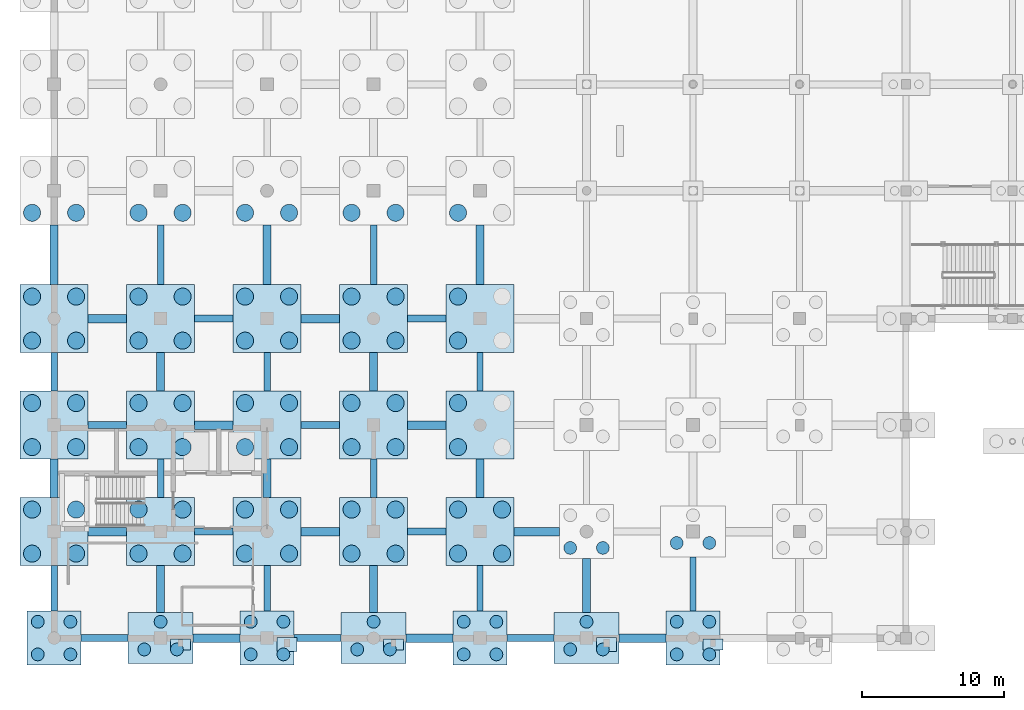
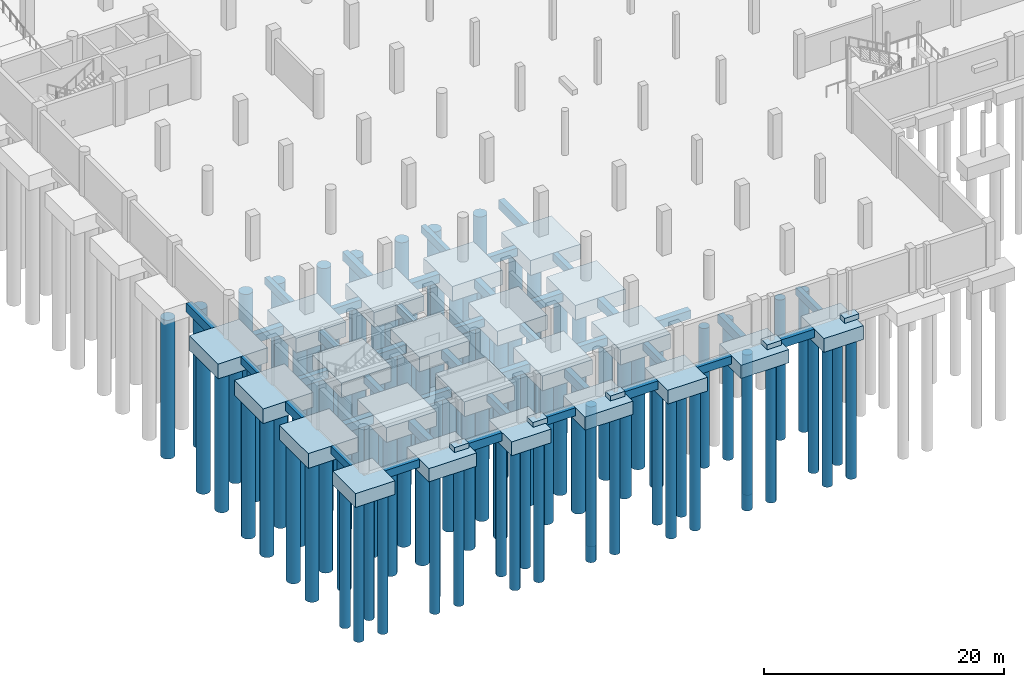
# One storey, part 1 of 42: 94 piles, 68 footings.
"""IFC4 building model written with IfcOpenShell, lengths in metres."""

from ifc_helpers import new_model, si_unit, direction, frame, origin, origin_2d, place, context, subcontext, project, spatial, rectangle, circle, extrude, material, material_profile, profile_set, type_object, element, save


model = new_model("IFC4")

# Units and contexts
model_context = context("Model", 3, precision=1e-05, world=origin(), true_north=direction((0.0, 1.0)))
body_context = subcontext(model_context, "Body", "Model", "MODEL_VIEW")
ifc_project = project(units=[si_unit("LENGTHUNIT", "METRE"), si_unit("AREAUNIT", "SQUARE_METRE"), si_unit("VOLUMEUNIT", "CUBIC_METRE"), si_unit("PLANEANGLEUNIT", "RADIAN"), si_unit("MASSUNIT", "GRAM", prefix="KILO")], contexts=[model_context])

# Site, building, storey
site_placement = place(None, origin())
site = spatial("IfcSite", under=ifc_project, at=site_placement, CompositionType="ELEMENT")
building_placement = place(site_placement, origin())
building = spatial("IfcBuilding", under=site, at=building_placement, Name="Dalvernix Boulevard General Hospital", CompositionType="ELEMENT")
storey_placement = place(building_placement, frame((0.0, 0.0, -4.5)))
storey = spatial("IfcBuildingStorey", under=building, at=storey_placement, Name="B1", CompositionType="ELEMENT", Elevation=-4.5)

# Footings
ifc_material_1 = material(Name="Concrete C35/45", Category="concrete")
footing_type_1 = type_object("IfcFootingType", Name="FTG-GB-01", PredefinedType="FOOTING_BEAM", material=ifc_material_1)
for number, where, z_axis, x_axis, name in (
    (1, (3.550048828125, 0.0, -1.2998046875), (0.0, 0.0, 1.0), (1.0, 0.0, 0.0), "Ground beam A:1-2"),
    (2, (18.550048828125, 0.0, -1.2998046875), (0.0, 0.0, 1.0), (1.0, 0.0, 0.0), "Ground beam A:3-4"),
    (3, (33.550048828125, 0.0, -1.2998046875), (0.0, 0.0, 1.0), (1.0, 0.0, 0.0), "Ground beam A:5-6"),
):
    element("IfcFooting", number, at=place(storey_placement, frame(where, z_axis=z_axis, x_axis=x_axis)), inside=storey, type_object=footing_type_1, Name=name, PredefinedType="FOOTING_BEAM", context=body_context, shape_type="SweptSolid", body=[
        extrude(rectangle(XDim=3.300048828125, YDim=0.5, at=origin_2d()), origin(), (0.0, 0.0, 1.0), 0.800048828125),
    ])
for number, where, z_axis, x_axis, name in (
    (4, (11.25, 7.5, -1.2998046875), (0.0, 0.0, 1.0), (1.0, 0.0, 0.0), "Ground beam B:2-3"),
    (5, (26.25, 7.5, -1.2998046875), (0.0, 0.0, 1.0), (1.0, 0.0, 0.0), "Ground beam B:4-5"),
    (6, (3.75, 15.0, -1.2998046875), (0.0, 0.0, 1.0), (1.0, 0.0, 0.0), "Ground beam C:1-2"),
    (7, (18.75, 15.0, -1.2998046875), (0.0, 0.0, 1.0), (1.0, 0.0, 0.0), "Ground beam C:3-4"),
    (8, (11.25, 22.5, -1.2998046875), (0.0, 0.0, 1.0), (1.0, 0.0, 0.0), "Ground beam D:2-3"),
    (9, (26.25, 22.5, -1.2998046875), (0.0, 0.0, 1.0), (1.0, 0.0, 0.0), "Ground beam D:4-5"),
):
    element("IfcFooting", number, at=place(storey_placement, frame(where, z_axis=z_axis, x_axis=x_axis)), inside=storey, type_object=footing_type_1, Name=name, PredefinedType="FOOTING_BEAM", context=body_context, shape_type="SweptSolid", body=[
        extrude(rectangle(XDim=2.699951171875, YDim=0.5, at=origin_2d()), origin(), (0.0, 0.0, 1.0), 0.800048828125),
    ])
footing_type_2 = type_object("IfcFootingType", Name="FTG-GB-02", PredefinedType="FOOTING_BEAM", material=ifc_material_1)
for number, where, z_axis, x_axis, name in (
    (10, (11.449951171875, 0.0, -1.35009765625), (0.0, 0.0, 1.0), (1.0, 0.0, 0.0), "Ground beam A:2-3"),
    (11, (26.449951171875, 0.0, -1.35009765625), (0.0, 0.0, 1.0), (1.0, 0.0, 0.0), "Ground beam A:4-5"),
    (12, (41.449951171875, 0.0, -1.35009765625), (0.0, 0.0, 1.0), (1.0, 0.0, 0.0), "Ground beam A:6-7"),
):
    element("IfcFooting", number, at=place(storey_placement, frame(where, z_axis=z_axis, x_axis=x_axis)), inside=storey, type_object=footing_type_2, Name=name, PredefinedType="FOOTING_BEAM", context=body_context, shape_type="SweptSolid", body=[
        extrude(rectangle(XDim=3.300048828125, YDim=0.60009765625, at=origin_2d()), origin(), (0.0, 0.0, 1.0), 0.85009765625),
    ])
for number, where, z_axis, x_axis, name in (
    (13, (3.75, 7.5, -1.35009765625), (0.0, 0.0, 1.0), (1.0, 0.0, 0.0), "Ground beam B:1-2"),
    (14, (18.75, 7.5, -1.35009765625), (0.0, 0.0, 1.0), (1.0, 0.0, 0.0), "Ground beam B:3-4"),
):
    element("IfcFooting", number, at=place(storey_placement, frame(where, z_axis=z_axis, x_axis=x_axis)), inside=storey, type_object=footing_type_2, Name=name, PredefinedType="FOOTING_BEAM", context=body_context, shape_type="SweptSolid", body=[
        extrude(rectangle(XDim=2.699951171875, YDim=0.60009765625, at=origin_2d()), origin(), (0.0, 0.0, 1.0), 0.85009765625),
    ])
footing_1_placement = place(storey_placement, frame((34.0, 7.5, -1.35009765625), z_axis=(0.0, 0.0, 1.0), x_axis=(1.0, 0.0, 0.0)))
element("IfcFooting", 15, at=footing_1_placement, inside=storey, type_object=footing_type_2, Name="Ground beam B:5-6", PredefinedType="FOOTING_BEAM", context=body_context, shape_type="SweptSolid", body=[
    extrude(rectangle(XDim=3.199951171875, YDim=0.60009765625, at=origin_2d()), origin(), (0.0, 0.0, 1.0), 0.85009765625),
])
for number, where, z_axis, x_axis, name in (
    (16, (11.25, 15.0, -1.35009765625), (0.0, 0.0, 1.0), (1.0, 0.0, 0.0), "Ground beam C:2-3"),
    (17, (26.25, 15.0, -1.35009765625), (0.0, 0.0, 1.0), (1.0, 0.0, 0.0), "Ground beam C:4-5"),
    (18, (3.75, 22.5, -1.35009765625), (0.0, 0.0, 1.0), (1.0, 0.0, 0.0), "Ground beam D:1-2"),
    (19, (18.75, 22.5, -1.35009765625), (0.0, 0.0, 1.0), (1.0, 0.0, 0.0), "Ground beam D:3-4"),
):
    element("IfcFooting", number, at=place(storey_placement, frame(where, z_axis=z_axis, x_axis=x_axis)), inside=storey, type_object=footing_type_2, Name=name, PredefinedType="FOOTING_BEAM", context=body_context, shape_type="SweptSolid", body=[
        extrude(rectangle(XDim=2.699951171875, YDim=0.60009765625, at=origin_2d()), origin(), (0.0, 0.0, 1.0), 0.85009765625),
    ])
footing_type_3 = type_object("IfcFootingType", Name="FTG-GB-03", PredefinedType="FOOTING_BEAM", material=ifc_material_1)
footing_2_placement = place(storey_placement, frame((0.0, 3.5, -1.25), z_axis=(0.0, 0.0, 1.0), x_axis=(0.0, 1.0, 0.0)))
element("IfcFooting", 20, at=footing_2_placement, inside=storey, type_object=footing_type_3, Name="Ground beam 1:A-B", PredefinedType="FOOTING_BEAM", context=body_context, shape_type="SweptSolid", body=[
    extrude(rectangle(XDim=3.199951171875, YDim=0.449951171875, at=origin_2d()), origin(), (0.0, 0.0, 1.0), 0.75),
])
for number, where, z_axis, x_axis, name in (
    (21, (0.0, 18.75, -1.25), (0.0, 0.0, 1.0), (0.0, 1.0, 0.0), "Ground beam 1:C-D"),
    (22, (7.5, 11.25, -1.25), (0.0, 0.0, 1.0), (0.0, 1.0, 0.0), "Ground beam 2:B-C"),
):
    element("IfcFooting", number, at=place(storey_placement, frame(where, z_axis=z_axis, x_axis=x_axis)), inside=storey, type_object=footing_type_3, Name=name, PredefinedType="FOOTING_BEAM", context=body_context, shape_type="SweptSolid", body=[
        extrude(rectangle(XDim=2.699951171875, YDim=0.449951171875, at=origin_2d()), origin(), (0.0, 0.0, 1.0), 0.75),
    ])
footing_3_placement = place(storey_placement, frame((7.5, 27.0, -1.25), z_axis=(0.0, 0.0, 1.0), x_axis=(0.0, 1.0, 0.0)))
element("IfcFooting", 23, at=footing_3_placement, inside=storey, type_object=footing_type_3, Name="Ground beam 2:D-E", PredefinedType="FOOTING_BEAM", context=body_context, shape_type="SweptSolid", body=[
    extrude(rectangle(XDim=4.199951171875, YDim=0.449951171875, at=origin_2d()), origin(), (0.0, 0.0, 1.0), 0.75),
])
footing_4_placement = place(storey_placement, frame((15.0, 3.5, -1.25), z_axis=(0.0, 0.0, 1.0), x_axis=(0.0, 1.0, 0.0)))
element("IfcFooting", 24, at=footing_4_placement, inside=storey, type_object=footing_type_3, Name="Ground beam 3:A-B", PredefinedType="FOOTING_BEAM", context=body_context, shape_type="SweptSolid", body=[
    extrude(rectangle(XDim=3.199951171875, YDim=0.449951171875, at=origin_2d()), origin(), (0.0, 0.0, 1.0), 0.75),
])
for number, where, z_axis, x_axis, name in (
    (25, (15.0, 18.75, -1.25), (0.0, 0.0, 1.0), (0.0, 1.0, 0.0), "Ground beam 3:C-D"),
    (26, (22.5, 11.25, -1.25), (0.0, 0.0, 1.0), (0.0, 1.0, 0.0), "Ground beam 4:B-C"),
):
    element("IfcFooting", number, at=place(storey_placement, frame(where, z_axis=z_axis, x_axis=x_axis)), inside=storey, type_object=footing_type_3, Name=name, PredefinedType="FOOTING_BEAM", context=body_context, shape_type="SweptSolid", body=[
        extrude(rectangle(XDim=2.699951171875, YDim=0.449951171875, at=origin_2d()), origin(), (0.0, 0.0, 1.0), 0.75),
    ])
footing_5_placement = place(storey_placement, frame((22.5, 27.0, -1.25), z_axis=(0.0, 0.0, 1.0), x_axis=(0.0, 1.0, 0.0)))
element("IfcFooting", 27, at=footing_5_placement, inside=storey, type_object=footing_type_3, Name="Ground beam 4:D-E", PredefinedType="FOOTING_BEAM", context=body_context, shape_type="SweptSolid", body=[
    extrude(rectangle(XDim=4.199951171875, YDim=0.449951171875, at=origin_2d()), origin(), (0.0, 0.0, 1.0), 0.75),
])
footing_6_placement = place(storey_placement, frame((30.0, 3.5, -1.25), z_axis=(0.0, 0.0, 1.0), x_axis=(0.0, 1.0, 0.0)))
element("IfcFooting", 28, at=footing_6_placement, inside=storey, type_object=footing_type_3, Name="Ground beam 5:A-B", PredefinedType="FOOTING_BEAM", context=body_context, shape_type="SweptSolid", body=[
    extrude(rectangle(XDim=3.199951171875, YDim=0.449951171875, at=origin_2d()), origin(), (0.0, 0.0, 1.0), 0.75),
])
footing_7_placement = place(storey_placement, frame((30.0, 18.75, -1.25), z_axis=(0.0, 0.0, 1.0), x_axis=(0.0, 1.0, 0.0)))
element("IfcFooting", 29, at=footing_7_placement, inside=storey, type_object=footing_type_3, Name="Ground beam 5:C-D", PredefinedType="FOOTING_BEAM", context=body_context, shape_type="SweptSolid", body=[
    extrude(rectangle(XDim=2.699951171875, YDim=0.449951171875, at=origin_2d()), origin(), (0.0, 0.0, 1.0), 0.75),
])
footing_8_placement = place(storey_placement, frame((45.0, 3.800048828125, -1.25), z_axis=(0.0, 0.0, 1.0), x_axis=(0.0, 1.0, 0.0)))
element("IfcFooting", 30, at=footing_8_placement, inside=storey, type_object=footing_type_3, Name="Ground beam 7:A-B", PredefinedType="FOOTING_BEAM", context=body_context, shape_type="SweptSolid", body=[
    extrude(rectangle(XDim=3.800048828125, YDim=0.449951171875, at=origin_2d()), origin(), (0.0, 0.0, 1.0), 0.75),
])
footing_type_4 = type_object("IfcFootingType", Name="FTG-GB-04", PredefinedType="FOOTING_BEAM", material=ifc_material_1)
footing_9_placement = place(storey_placement, frame((0.0, 11.25, -1.39990234375), z_axis=(0.0, 0.0, 1.0), x_axis=(0.0, 1.0, 0.0)))
element("IfcFooting", 31, at=footing_9_placement, inside=storey, type_object=footing_type_4, Name="Ground beam 1:B-C", PredefinedType="FOOTING_BEAM", context=body_context, shape_type="SweptSolid", body=[
    extrude(rectangle(XDim=2.699951171875, YDim=0.550048828125, at=origin_2d()), origin(), (0.0, 0.0, 1.0), 0.89990234375),
])
footing_10_placement = place(storey_placement, frame((0.0, 27.0, -1.39990234375), z_axis=(0.0, 0.0, 1.0), x_axis=(0.0, 1.0, 0.0)))
element("IfcFooting", 32, at=footing_10_placement, inside=storey, type_object=footing_type_4, Name="Ground beam 1:D-E", PredefinedType="FOOTING_BEAM", context=body_context, shape_type="SweptSolid", body=[
    extrude(rectangle(XDim=4.199951171875, YDim=0.550048828125, at=origin_2d()), origin(), (0.0, 0.0, 1.0), 0.89990234375),
])
footing_11_placement = place(storey_placement, frame((7.5, 3.449951171875, -1.39990234375), z_axis=(0.0, 0.0, 1.0), x_axis=(0.0, 1.0, 0.0)))
element("IfcFooting", 33, at=footing_11_placement, inside=storey, type_object=footing_type_4, Name="Ground beam 2:A-B", PredefinedType="FOOTING_BEAM", context=body_context, shape_type="SweptSolid", body=[
    extrude(rectangle(XDim=3.300048828125, YDim=0.550048828125, at=origin_2d()), origin(), (0.0, 0.0, 1.0), 0.89990234375),
])
for number, where, z_axis, x_axis, name in (
    (34, (7.5, 18.75, -1.39990234375), (0.0, 0.0, 1.0), (0.0, 1.0, 0.0), "Ground beam 2:C-D"),
    (35, (15.0, 11.25, -1.39990234375), (0.0, 0.0, 1.0), (0.0, 1.0, 0.0), "Ground beam 3:B-C"),
):
    element("IfcFooting", number, at=place(storey_placement, frame(where, z_axis=z_axis, x_axis=x_axis)), inside=storey, type_object=footing_type_4, Name=name, PredefinedType="FOOTING_BEAM", context=body_context, shape_type="SweptSolid", body=[
        extrude(rectangle(XDim=2.699951171875, YDim=0.550048828125, at=origin_2d()), origin(), (0.0, 0.0, 1.0), 0.89990234375),
    ])
footing_12_placement = place(storey_placement, frame((15.0, 27.0, -1.39990234375), z_axis=(0.0, 0.0, 1.0), x_axis=(0.0, 1.0, 0.0)))
element("IfcFooting", 36, at=footing_12_placement, inside=storey, type_object=footing_type_4, Name="Ground beam 3:D-E", PredefinedType="FOOTING_BEAM", context=body_context, shape_type="SweptSolid", body=[
    extrude(rectangle(XDim=4.199951171875, YDim=0.550048828125, at=origin_2d()), origin(), (0.0, 0.0, 1.0), 0.89990234375),
])
footing_13_placement = place(storey_placement, frame((22.5, 3.449951171875, -1.39990234375), z_axis=(0.0, 0.0, 1.0), x_axis=(0.0, 1.0, 0.0)))
element("IfcFooting", 37, at=footing_13_placement, inside=storey, type_object=footing_type_4, Name="Ground beam 4:A-B", PredefinedType="FOOTING_BEAM", context=body_context, shape_type="SweptSolid", body=[
    extrude(rectangle(XDim=3.300048828125, YDim=0.550048828125, at=origin_2d()), origin(), (0.0, 0.0, 1.0), 0.89990234375),
])
for number, where, z_axis, x_axis, name in (
    (38, (22.5, 18.75, -1.39990234375), (0.0, 0.0, 1.0), (0.0, 1.0, 0.0), "Ground beam 4:C-D"),
    (39, (30.0, 11.25, -1.39990234375), (0.0, 0.0, 1.0), (0.0, 1.0, 0.0), "Ground beam 5:B-C"),
):
    element("IfcFooting", number, at=place(storey_placement, frame(where, z_axis=z_axis, x_axis=x_axis)), inside=storey, type_object=footing_type_4, Name=name, PredefinedType="FOOTING_BEAM", context=body_context, shape_type="SweptSolid", body=[
        extrude(rectangle(XDim=2.699951171875, YDim=0.550048828125, at=origin_2d()), origin(), (0.0, 0.0, 1.0), 0.89990234375),
    ])
footing_14_placement = place(storey_placement, frame((30.0, 27.0, -1.39990234375), z_axis=(0.0, 0.0, 1.0), x_axis=(0.0, 1.0, 0.0)))
element("IfcFooting", 40, at=footing_14_placement, inside=storey, type_object=footing_type_4, Name="Ground beam 5:D-E", PredefinedType="FOOTING_BEAM", context=body_context, shape_type="SweptSolid", body=[
    extrude(rectangle(XDim=4.199951171875, YDim=0.550048828125, at=origin_2d()), origin(), (0.0, 0.0, 1.0), 0.89990234375),
])
footing_15_placement = place(storey_placement, frame((37.5, 3.699951171875, -1.39990234375), z_axis=(0.0, 0.0, 1.0), x_axis=(0.0, 1.0, 0.0)))
element("IfcFooting", 41, at=footing_15_placement, inside=storey, type_object=footing_type_4, Name="Ground beam 6:A-B", PredefinedType="FOOTING_BEAM", context=body_context, shape_type="SweptSolid", body=[
    extrude(rectangle(XDim=3.800048828125, YDim=0.550048828125, at=origin_2d()), origin(), (0.0, 0.0, 1.0), 0.89990234375),
])
ifc_material_2 = material(Name="Concrete C40/50", Category="concrete")
footing_type_5 = type_object("IfcFootingType", Name="FTG-PC-06", PredefinedType="PILE_CAP", material=ifc_material_2)
for number, where, z_axis, x_axis, name in (
    (42, (7.5, 0.0, -1.85009765625), (0.0, 0.0, 1.0), (1.0, 0.0, 0.0), "Pile cap 2A"),
    (43, (22.5, 0.0, -1.85009765625), (0.0, 0.0, 1.0), (1.0, 0.0, 0.0), "Pile cap 4A"),
    (44, (37.5, 0.0, -1.85009765625), (0.0, 0.0, 1.0), (1.0, 0.0, 0.0), "Pile cap 6A"),
):
    element("IfcFooting", number, at=place(storey_placement, frame(where, z_axis=z_axis, x_axis=x_axis)), inside=storey, type_object=footing_type_5, Name=name, PredefinedType="PILE_CAP", context=body_context, shape_type="SweptSolid", body=[
        extrude(rectangle(XDim=4.60009765625, YDim=3.60009765625, at=origin_2d()), origin(), (0.0, 0.0, 1.0), 1.35009765625),
    ])
footing_type_6 = type_object("IfcFootingType", Name="FTG-PC-07", PredefinedType="PILE_CAP", material=ifc_material_2)
for number, where, z_axis, x_axis, name in (
    (45, (0.0, 0.0, -1.89990234375), (0.0, 0.0, 1.0), (1.0, 0.0, 0.0), "Pile cap 1A"),
    (46, (15.0, 0.0, -1.89990234375), (0.0, 0.0, 1.0), (1.0, 0.0, 0.0), "Pile cap 3A"),
    (47, (30.0, 0.0, -1.89990234375), (0.0, 0.0, 1.0), (1.0, 0.0, 0.0), "Pile cap 5A"),
    (48, (45.0, 0.0, -1.89990234375), (0.0, 0.0, 1.0), (1.0, 0.0, 0.0), "Pile cap 7A"),
):
    element("IfcFooting", number, at=place(storey_placement, frame(where, z_axis=z_axis, x_axis=x_axis)), inside=storey, type_object=footing_type_6, Name=name, PredefinedType="PILE_CAP", context=body_context, shape_type="SweptSolid", body=[
        extrude(rectangle(XDim=3.800048828125, YDim=3.800048828125, at=origin_2d()), origin(), (0.0, 0.0, 1.0), 1.39990234375),
    ])
footing_type_7 = type_object("IfcFootingType", Name="FTG-PC-09", PredefinedType="PILE_CAP", material=ifc_material_2)
for number, where, z_axis, x_axis, name in (
    (49, (0.0, 7.5, -2.0), (0.0, 0.0, 1.0), (1.0, 0.0, 0.0), "Pile cap 1B"),
    (50, (0.0, 15.0, -2.0), (0.0, 0.0, 1.0), (1.0, 0.0, 0.0), "Pile cap 1C"),
    (51, (0.0, 22.5, -2.0), (0.0, 0.0, 1.0), (1.0, 0.0, 0.0), "Pile cap 1D"),
    (52, (7.5, 7.5, -2.0), (0.0, 0.0, 1.0), (1.0, 0.0, 0.0), "Pile cap 2B"),
    (53, (7.5, 15.0, -2.0), (0.0, 0.0, 1.0), (1.0, 0.0, 0.0), "Pile cap 2C"),
    (54, (7.5, 22.5, -2.0), (0.0, 0.0, 1.0), (1.0, 0.0, 0.0), "Pile cap 2D"),
    (55, (15.0, 7.5, -2.0), (0.0, 0.0, 1.0), (1.0, 0.0, 0.0), "Pile cap 3B"),
    (56, (15.0, 15.0, -2.0), (0.0, 0.0, 1.0), (1.0, 0.0, 0.0), "Pile cap 3C"),
    (57, (15.0, 22.5, -2.0), (0.0, 0.0, 1.0), (1.0, 0.0, 0.0), "Pile cap 3D"),
    (58, (22.5, 7.5, -2.0), (0.0, 0.0, 1.0), (1.0, 0.0, 0.0), "Pile cap 4B"),
    (59, (22.5, 15.0, -2.0), (0.0, 0.0, 1.0), (1.0, 0.0, 0.0), "Pile cap 4C"),
    (60, (22.5, 22.5, -2.0), (0.0, 0.0, 1.0), (1.0, 0.0, 0.0), "Pile cap 4D"),
    (61, (30.0, 7.5, -2.0), (0.0, 0.0, 1.0), (1.0, 0.0, 0.0), "Pile cap 5B"),
    (62, (30.0, 15.0, -2.0), (0.0, 0.0, 1.0), (1.0, 0.0, 0.0), "Pile cap 5C"),
    (63, (30.0, 22.5, -2.0), (0.0, 0.0, 1.0), (1.0, 0.0, 0.0), "Pile cap 5D"),
):
    element("IfcFooting", number, at=place(storey_placement, frame(where, z_axis=z_axis, x_axis=x_axis)), inside=storey, type_object=footing_type_7, Name=name, PredefinedType="PILE_CAP", context=body_context, shape_type="SweptSolid", body=[
        extrude(rectangle(XDim=4.800048828125, YDim=4.800048828125, at=origin_2d()), origin(), (0.0, 0.0, 1.0), 1.5),
    ])
footing_type_8 = type_object("IfcFootingType", Name="FTG-SF-01", PredefinedType="STRIP_FOOTING", material=ifc_material_1)
for number, where, z_axis, x_axis, name in (
    (64, (8.89990234375, -0.449951171875, -0.5), (0.0, 0.0, 1.0), (1.0, 0.0, 0.0), "Boulevard buttress strip footing 1"),
    (65, (23.89990234375, -0.449951171875, -0.5), (0.0, 0.0, 1.0), (1.0, 0.0, 0.0), "Boulevard buttress strip footing 3"),
    (66, (46.39990234375, -0.449951171875, -0.5), (0.0, 0.0, 1.0), (1.0, 0.0, 0.0), "Boulevard buttress strip footing 5"),
):
    element("IfcFooting", number, at=place(storey_placement, frame(where, z_axis=z_axis, x_axis=x_axis)), inside=storey, type_object=footing_type_8, Name=name, PredefinedType="STRIP_FOOTING", context=body_context, shape_type="SweptSolid", body=[
        extrude(rectangle(XDim=1.39990234375, YDim=0.800048828125, at=origin_2d()), origin(), (0.0, 0.0, 1.0), 0.5),
    ])
footing_type_9 = type_object("IfcFootingType", Name="FTG-SF-02", PredefinedType="STRIP_FOOTING", material=ifc_material_1)
for number, where, z_axis, x_axis, name in (
    (67, (16.39990234375, -0.449951171875, -0.5498046875), (0.0, 0.0, 1.0), (1.0, 0.0, 0.0), "Boulevard buttress strip footing 2"),
    (68, (38.89990234375, -0.449951171875, -0.5498046875), (0.0, 0.0, 1.0), (1.0, 0.0, 0.0), "Boulevard buttress strip footing 4"),
):
    element("IfcFooting", number, at=place(storey_placement, frame(where, z_axis=z_axis, x_axis=x_axis)), inside=storey, type_object=footing_type_9, Name=name, PredefinedType="STRIP_FOOTING", context=body_context, shape_type="SweptSolid", body=[
        extrude(rectangle(XDim=1.39990234375, YDim=1.0, at=origin_2d()), origin(), (0.0, 0.0, 1.0), 0.550048828125),
    ])

# Piles
ifc_material_profile_1 = material_profile(ifc_material_1, circle(Radius=0.449951171875, at=origin_2d()), Name="BORED PILE D900")
ifc_profile_set_1 = profile_set([ifc_material_profile_1], Name="Concrete C35/45")
pile_type_1 = type_object("IfcPileType", Name="PILE-PL-02", PredefinedType="BORED", material=ifc_profile_set_1)
for number, where, z_axis, x_axis, name in (
    (69, (-1.14990234375, -1.14990234375, -1.800048828125), (0.0, 0.0, -1.0), (1.0, 0.0, 0.0), "Bored pile 1A-1"),
    (70, (1.14990234375, -1.14990234375, -1.800048828125), (0.0, 0.0, -1.0), (1.0, 0.0, 0.0), "Bored pile 1A-2"),
    (71, (-1.14990234375, 1.14990234375, -1.800048828125), (0.0, 0.0, -1.0), (1.0, 0.0, 0.0), "Bored pile 1A-3"),
    (72, (1.14990234375, 1.14990234375, -1.800048828125), (0.0, 0.0, -1.0), (1.0, 0.0, 0.0), "Bored pile 1A-4"),
):
    element("IfcPile", number, at=place(storey_placement, frame(where, z_axis=z_axis, x_axis=x_axis)), inside=storey, type_object=pile_type_1, Name=name, PredefinedType="BORED", context=body_context, shape_type="SweptSolid", body=[
        extrude(circle(Radius=0.449951171875, at=origin_2d()), origin(), (0.0, 0.0, 1.0), 14.199951171875),
    ])
for number, where, z_axis, x_axis, name in (
    (73, (6.35009765625, -0.800048828125, -1.75), (0.0, 0.0, -1.0), (1.0, 0.0, 0.0), "Bored pile 2A-1"),
    (74, (8.64990234375, -0.800048828125, -1.75), (0.0, 0.0, -1.0), (1.0, 0.0, 0.0), "Bored pile 2A-2"),
    (75, (7.5, 1.14990234375, -1.75), (0.0, 0.0, -1.0), (1.0, 0.0, 0.0), "Bored pile 2A-3"),
):
    element("IfcPile", number, at=place(storey_placement, frame(where, z_axis=z_axis, x_axis=x_axis)), inside=storey, type_object=pile_type_1, Name=name, PredefinedType="BORED", context=body_context, shape_type="SweptSolid", body=[
        extrude(circle(Radius=0.449951171875, at=origin_2d()), origin(), (0.0, 0.0, 1.0), 14.25),
    ])
for number, where, z_axis, x_axis, name in (
    (76, (13.85009765625, -1.14990234375, -1.800048828125), (0.0, 0.0, -1.0), (1.0, 0.0, 0.0), "Bored pile 3A-1"),
    (77, (16.14990234375, -1.14990234375, -1.800048828125), (0.0, 0.0, -1.0), (1.0, 0.0, 0.0), "Bored pile 3A-2"),
    (78, (13.85009765625, 1.14990234375, -1.800048828125), (0.0, 0.0, -1.0), (1.0, 0.0, 0.0), "Bored pile 3A-3"),
    (79, (16.14990234375, 1.14990234375, -1.800048828125), (0.0, 0.0, -1.0), (1.0, 0.0, 0.0), "Bored pile 3A-4"),
):
    element("IfcPile", number, at=place(storey_placement, frame(where, z_axis=z_axis, x_axis=x_axis)), inside=storey, type_object=pile_type_1, Name=name, PredefinedType="BORED", context=body_context, shape_type="SweptSolid", body=[
        extrude(circle(Radius=0.449951171875, at=origin_2d()), origin(), (0.0, 0.0, 1.0), 14.199951171875),
    ])
for number, where, z_axis, x_axis, name in (
    (80, (21.35009765625, -0.800048828125, -1.75), (0.0, 0.0, -1.0), (1.0, 0.0, 0.0), "Bored pile 4A-1"),
    (81, (23.64990234375, -0.800048828125, -1.75), (0.0, 0.0, -1.0), (1.0, 0.0, 0.0), "Bored pile 4A-2"),
    (82, (22.5, 1.14990234375, -1.75), (0.0, 0.0, -1.0), (1.0, 0.0, 0.0), "Bored pile 4A-3"),
):
    element("IfcPile", number, at=place(storey_placement, frame(where, z_axis=z_axis, x_axis=x_axis)), inside=storey, type_object=pile_type_1, Name=name, PredefinedType="BORED", context=body_context, shape_type="SweptSolid", body=[
        extrude(circle(Radius=0.449951171875, at=origin_2d()), origin(), (0.0, 0.0, 1.0), 14.25),
    ])
for number, where, z_axis, x_axis, name in (
    (83, (28.85009765625, -1.14990234375, -1.800048828125), (0.0, 0.0, -1.0), (1.0, 0.0, 0.0), "Bored pile 5A-1"),
    (84, (31.14990234375, -1.14990234375, -1.800048828125), (0.0, 0.0, -1.0), (1.0, 0.0, 0.0), "Bored pile 5A-2"),
    (85, (28.85009765625, 1.14990234375, -1.800048828125), (0.0, 0.0, -1.0), (1.0, 0.0, 0.0), "Bored pile 5A-3"),
    (86, (31.14990234375, 1.14990234375, -1.800048828125), (0.0, 0.0, -1.0), (1.0, 0.0, 0.0), "Bored pile 5A-4"),
):
    element("IfcPile", number, at=place(storey_placement, frame(where, z_axis=z_axis, x_axis=x_axis)), inside=storey, type_object=pile_type_1, Name=name, PredefinedType="BORED", context=body_context, shape_type="SweptSolid", body=[
        extrude(circle(Radius=0.449951171875, at=origin_2d()), origin(), (0.0, 0.0, 1.0), 14.199951171875),
    ])
for number, where, z_axis, x_axis, name in (
    (87, (36.35009765625, -0.800048828125, -1.75), (0.0, 0.0, -1.0), (1.0, 0.0, 0.0), "Bored pile 6A-1"),
    (88, (38.64990234375, -0.800048828125, -1.75), (0.0, 0.0, -1.0), (1.0, 0.0, 0.0), "Bored pile 6A-2"),
    (89, (37.5, 1.14990234375, -1.75), (0.0, 0.0, -1.0), (1.0, 0.0, 0.0), "Bored pile 6A-3"),
):
    element("IfcPile", number, at=place(storey_placement, frame(where, z_axis=z_axis, x_axis=x_axis)), inside=storey, type_object=pile_type_1, Name=name, PredefinedType="BORED", context=body_context, shape_type="SweptSolid", body=[
        extrude(circle(Radius=0.449951171875, at=origin_2d()), origin(), (0.0, 0.0, 1.0), 14.25),
    ])
for number, where, z_axis, x_axis, name in (
    (90, (36.35009765625, 6.35009765625, -1.800048828125), (0.0, 0.0, -1.0), (1.0, 0.0, 0.0), "Bored pile 6B-1"),
    (91, (38.64990234375, 6.35009765625, -1.800048828125), (0.0, 0.0, -1.0), (1.0, 0.0, 0.0), "Bored pile 6B-2"),
    (92, (43.85009765625, -1.14990234375, -1.800048828125), (0.0, 0.0, -1.0), (1.0, 0.0, 0.0), "Bored pile 7A-1"),
    (93, (46.14990234375, -1.14990234375, -1.800048828125), (0.0, 0.0, -1.0), (1.0, 0.0, 0.0), "Bored pile 7A-2"),
    (94, (43.85009765625, 1.14990234375, -1.800048828125), (0.0, 0.0, -1.0), (1.0, 0.0, 0.0), "Bored pile 7A-3"),
    (95, (46.14990234375, 1.14990234375, -1.800048828125), (0.0, 0.0, -1.0), (1.0, 0.0, 0.0), "Bored pile 7A-4"),
):
    element("IfcPile", number, at=place(storey_placement, frame(where, z_axis=z_axis, x_axis=x_axis)), inside=storey, type_object=pile_type_1, Name=name, PredefinedType="BORED", context=body_context, shape_type="SweptSolid", body=[
        extrude(circle(Radius=0.449951171875, at=origin_2d()), origin(), (0.0, 0.0, 1.0), 14.199951171875),
    ])
for number, where, z_axis, x_axis, name in (
    (96, (43.85009765625, 6.699951171875, -1.75), (0.0, 0.0, -1.0), (1.0, 0.0, 0.0), "Bored pile 7B-1"),
    (97, (46.14990234375, 6.699951171875, -1.75), (0.0, 0.0, -1.0), (1.0, 0.0, 0.0), "Bored pile 7B-2"),
):
    element("IfcPile", number, at=place(storey_placement, frame(where, z_axis=z_axis, x_axis=x_axis)), inside=storey, type_object=pile_type_1, Name=name, PredefinedType="BORED", context=body_context, shape_type="SweptSolid", body=[
        extrude(circle(Radius=0.449951171875, at=origin_2d()), origin(), (0.0, 0.0, 1.0), 14.25),
    ])
ifc_material_profile_2 = material_profile(ifc_material_1, circle(Radius=0.60009765625, at=origin_2d()), Name="BORED PILE D1200")
ifc_profile_set_2 = profile_set([ifc_material_profile_2], Name="Concrete C35/45")
pile_type_2 = type_object("IfcPileType", Name="PILE-PL-03", PredefinedType="BORED", material=ifc_profile_set_2)
for number, where, z_axis, x_axis, name in (
    (98, (-1.550048828125, 5.949951171875, -1.89990234375), (0.0, 0.0, -1.0), (1.0, 0.0, 0.0), "Bored pile 1B-1"),
    (99, (1.550048828125, 5.949951171875, -1.89990234375), (0.0, 0.0, -1.0), (1.0, 0.0, 0.0), "Bored pile 1B-2"),
    (100, (-1.550048828125, 9.050048828125, -1.89990234375), (0.0, 0.0, -1.0), (1.0, 0.0, 0.0), "Bored pile 1B-3"),
    (101, (1.550048828125, 9.050048828125, -1.89990234375), (0.0, 0.0, -1.0), (1.0, 0.0, 0.0), "Bored pile 1B-4"),
    (102, (-1.550048828125, 13.449951171875, -1.89990234375), (0.0, 0.0, -1.0), (1.0, 0.0, 0.0), "Bored pile 1C-1"),
    (103, (1.550048828125, 13.449951171875, -1.89990234375), (0.0, 0.0, -1.0), (1.0, 0.0, 0.0), "Bored pile 1C-2"),
    (104, (-1.550048828125, 16.550048828125, -1.89990234375), (0.0, 0.0, -1.0), (1.0, 0.0, 0.0), "Bored pile 1C-3"),
    (105, (1.550048828125, 16.550048828125, -1.89990234375), (0.0, 0.0, -1.0), (1.0, 0.0, 0.0), "Bored pile 1C-4"),
    (106, (-1.550048828125, 20.949951171875, -1.89990234375), (0.0, 0.0, -1.0), (1.0, 0.0, 0.0), "Bored pile 1D-1"),
    (107, (1.550048828125, 20.949951171875, -1.89990234375), (0.0, 0.0, -1.0), (1.0, 0.0, 0.0), "Bored pile 1D-2"),
    (108, (-1.550048828125, 24.050048828125, -1.89990234375), (0.0, 0.0, -1.0), (1.0, 0.0, 0.0), "Bored pile 1D-3"),
    (109, (1.550048828125, 24.050048828125, -1.89990234375), (0.0, 0.0, -1.0), (1.0, 0.0, 0.0), "Bored pile 1D-4"),
    (110, (-1.550048828125, 29.949951171875, -1.89990234375), (0.0, 0.0, -1.0), (1.0, 0.0, 0.0), "Bored pile 1E-1"),
    (111, (1.550048828125, 29.949951171875, -1.89990234375), (0.0, 0.0, -1.0), (1.0, 0.0, 0.0), "Bored pile 1E-2"),
    (112, (5.949951171875, 5.949951171875, -1.89990234375), (0.0, 0.0, -1.0), (1.0, 0.0, 0.0), "Bored pile 2B-1"),
    (113, (9.050048828125, 5.949951171875, -1.89990234375), (0.0, 0.0, -1.0), (1.0, 0.0, 0.0), "Bored pile 2B-2"),
    (114, (5.949951171875, 9.050048828125, -1.89990234375), (0.0, 0.0, -1.0), (1.0, 0.0, 0.0), "Bored pile 2B-3"),
    (115, (9.050048828125, 9.050048828125, -1.89990234375), (0.0, 0.0, -1.0), (1.0, 0.0, 0.0), "Bored pile 2B-4"),
    (116, (5.949951171875, 13.449951171875, -1.89990234375), (0.0, 0.0, -1.0), (1.0, 0.0, 0.0), "Bored pile 2C-1"),
    (117, (9.050048828125, 13.449951171875, -1.89990234375), (0.0, 0.0, -1.0), (1.0, 0.0, 0.0), "Bored pile 2C-2"),
    (118, (5.949951171875, 16.550048828125, -1.89990234375), (0.0, 0.0, -1.0), (1.0, 0.0, 0.0), "Bored pile 2C-3"),
    (119, (9.050048828125, 16.550048828125, -1.89990234375), (0.0, 0.0, -1.0), (1.0, 0.0, 0.0), "Bored pile 2C-4"),
    (120, (5.949951171875, 20.949951171875, -1.89990234375), (0.0, 0.0, -1.0), (1.0, 0.0, 0.0), "Bored pile 2D-1"),
    (121, (9.050048828125, 20.949951171875, -1.89990234375), (0.0, 0.0, -1.0), (1.0, 0.0, 0.0), "Bored pile 2D-2"),
    (122, (5.949951171875, 24.050048828125, -1.89990234375), (0.0, 0.0, -1.0), (1.0, 0.0, 0.0), "Bored pile 2D-3"),
    (123, (9.050048828125, 24.050048828125, -1.89990234375), (0.0, 0.0, -1.0), (1.0, 0.0, 0.0), "Bored pile 2D-4"),
    (124, (5.949951171875, 29.949951171875, -1.89990234375), (0.0, 0.0, -1.0), (1.0, 0.0, 0.0), "Bored pile 2E-1"),
    (125, (9.050048828125, 29.949951171875, -1.89990234375), (0.0, 0.0, -1.0), (1.0, 0.0, 0.0), "Bored pile 2E-2"),
    (126, (13.449951171875, 5.949951171875, -1.89990234375), (0.0, 0.0, -1.0), (1.0, 0.0, 0.0), "Bored pile 3B-1"),
    (127, (16.550048828125, 5.949951171875, -1.89990234375), (0.0, 0.0, -1.0), (1.0, 0.0, 0.0), "Bored pile 3B-2"),
    (128, (13.449951171875, 9.050048828125, -1.89990234375), (0.0, 0.0, -1.0), (1.0, 0.0, 0.0), "Bored pile 3B-3"),
    (129, (16.550048828125, 9.050048828125, -1.89990234375), (0.0, 0.0, -1.0), (1.0, 0.0, 0.0), "Bored pile 3B-4"),
    (130, (13.449951171875, 13.449951171875, -1.89990234375), (0.0, 0.0, -1.0), (1.0, 0.0, 0.0), "Bored pile 3C-1"),
    (131, (16.550048828125, 13.449951171875, -1.89990234375), (0.0, 0.0, -1.0), (1.0, 0.0, 0.0), "Bored pile 3C-2"),
    (132, (13.449951171875, 16.550048828125, -1.89990234375), (0.0, 0.0, -1.0), (1.0, 0.0, 0.0), "Bored pile 3C-3"),
    (133, (16.550048828125, 16.550048828125, -1.89990234375), (0.0, 0.0, -1.0), (1.0, 0.0, 0.0), "Bored pile 3C-4"),
    (134, (13.449951171875, 20.949951171875, -1.89990234375), (0.0, 0.0, -1.0), (1.0, 0.0, 0.0), "Bored pile 3D-1"),
    (135, (16.550048828125, 20.949951171875, -1.89990234375), (0.0, 0.0, -1.0), (1.0, 0.0, 0.0), "Bored pile 3D-2"),
    (136, (13.449951171875, 24.050048828125, -1.89990234375), (0.0, 0.0, -1.0), (1.0, 0.0, 0.0), "Bored pile 3D-3"),
    (137, (16.550048828125, 24.050048828125, -1.89990234375), (0.0, 0.0, -1.0), (1.0, 0.0, 0.0), "Bored pile 3D-4"),
    (138, (13.449951171875, 29.949951171875, -1.89990234375), (0.0, 0.0, -1.0), (1.0, 0.0, 0.0), "Bored pile 3E-1"),
    (139, (16.550048828125, 29.949951171875, -1.89990234375), (0.0, 0.0, -1.0), (1.0, 0.0, 0.0), "Bored pile 3E-2"),
    (140, (20.949951171875, 5.949951171875, -1.89990234375), (0.0, 0.0, -1.0), (1.0, 0.0, 0.0), "Bored pile 4B-1"),
    (141, (24.050048828125, 5.949951171875, -1.89990234375), (0.0, 0.0, -1.0), (1.0, 0.0, 0.0), "Bored pile 4B-2"),
    (142, (20.949951171875, 9.050048828125, -1.89990234375), (0.0, 0.0, -1.0), (1.0, 0.0, 0.0), "Bored pile 4B-3"),
    (143, (24.050048828125, 9.050048828125, -1.89990234375), (0.0, 0.0, -1.0), (1.0, 0.0, 0.0), "Bored pile 4B-4"),
    (144, (20.949951171875, 13.449951171875, -1.89990234375), (0.0, 0.0, -1.0), (1.0, 0.0, 0.0), "Bored pile 4C-1"),
    (145, (24.050048828125, 13.449951171875, -1.89990234375), (0.0, 0.0, -1.0), (1.0, 0.0, 0.0), "Bored pile 4C-2"),
    (146, (20.949951171875, 16.550048828125, -1.89990234375), (0.0, 0.0, -1.0), (1.0, 0.0, 0.0), "Bored pile 4C-3"),
    (147, (24.050048828125, 16.550048828125, -1.89990234375), (0.0, 0.0, -1.0), (1.0, 0.0, 0.0), "Bored pile 4C-4"),
    (148, (20.949951171875, 20.949951171875, -1.89990234375), (0.0, 0.0, -1.0), (1.0, 0.0, 0.0), "Bored pile 4D-1"),
    (149, (24.050048828125, 20.949951171875, -1.89990234375), (0.0, 0.0, -1.0), (1.0, 0.0, 0.0), "Bored pile 4D-2"),
    (150, (20.949951171875, 24.050048828125, -1.89990234375), (0.0, 0.0, -1.0), (1.0, 0.0, 0.0), "Bored pile 4D-3"),
    (151, (24.050048828125, 24.050048828125, -1.89990234375), (0.0, 0.0, -1.0), (1.0, 0.0, 0.0), "Bored pile 4D-4"),
    (152, (20.949951171875, 29.949951171875, -1.89990234375), (0.0, 0.0, -1.0), (1.0, 0.0, 0.0), "Bored pile 4E-1"),
    (153, (24.050048828125, 29.949951171875, -1.89990234375), (0.0, 0.0, -1.0), (1.0, 0.0, 0.0), "Bored pile 4E-2"),
    (154, (28.449951171875, 5.949951171875, -1.89990234375), (0.0, 0.0, -1.0), (1.0, 0.0, 0.0), "Bored pile 5B-1"),
    (155, (31.550048828125, 5.949951171875, -1.89990234375), (0.0, 0.0, -1.0), (1.0, 0.0, 0.0), "Bored pile 5B-2"),
    (156, (28.449951171875, 9.050048828125, -1.89990234375), (0.0, 0.0, -1.0), (1.0, 0.0, 0.0), "Bored pile 5B-3"),
    (157, (31.550048828125, 9.050048828125, -1.89990234375), (0.0, 0.0, -1.0), (1.0, 0.0, 0.0), "Bored pile 5B-4"),
    (158, (28.449951171875, 13.449951171875, -1.89990234375), (0.0, 0.0, -1.0), (1.0, 0.0, 0.0), "Bored pile 5C-1"),
    (159, (28.449951171875, 16.550048828125, -1.89990234375), (0.0, 0.0, -1.0), (1.0, 0.0, 0.0), "Bored pile 5C-3"),
    (160, (28.449951171875, 20.949951171875, -1.89990234375), (0.0, 0.0, -1.0), (1.0, 0.0, 0.0), "Bored pile 5D-1"),
    (161, (28.449951171875, 24.050048828125, -1.89990234375), (0.0, 0.0, -1.0), (1.0, 0.0, 0.0), "Bored pile 5D-3"),
    (162, (28.449951171875, 29.949951171875, -1.89990234375), (0.0, 0.0, -1.0), (1.0, 0.0, 0.0), "Bored pile 5E-1"),
):
    element("IfcPile", number, at=place(storey_placement, frame(where, z_axis=z_axis, x_axis=x_axis)), inside=storey, type_object=pile_type_2, Name=name, PredefinedType="BORED", context=body_context, shape_type="SweptSolid", body=[
        extrude(circle(Radius=0.60009765625, at=origin_2d()), origin(), (0.0, 0.0, 1.0), 14.10009765625),
    ])

save(model, "model.ifc")
